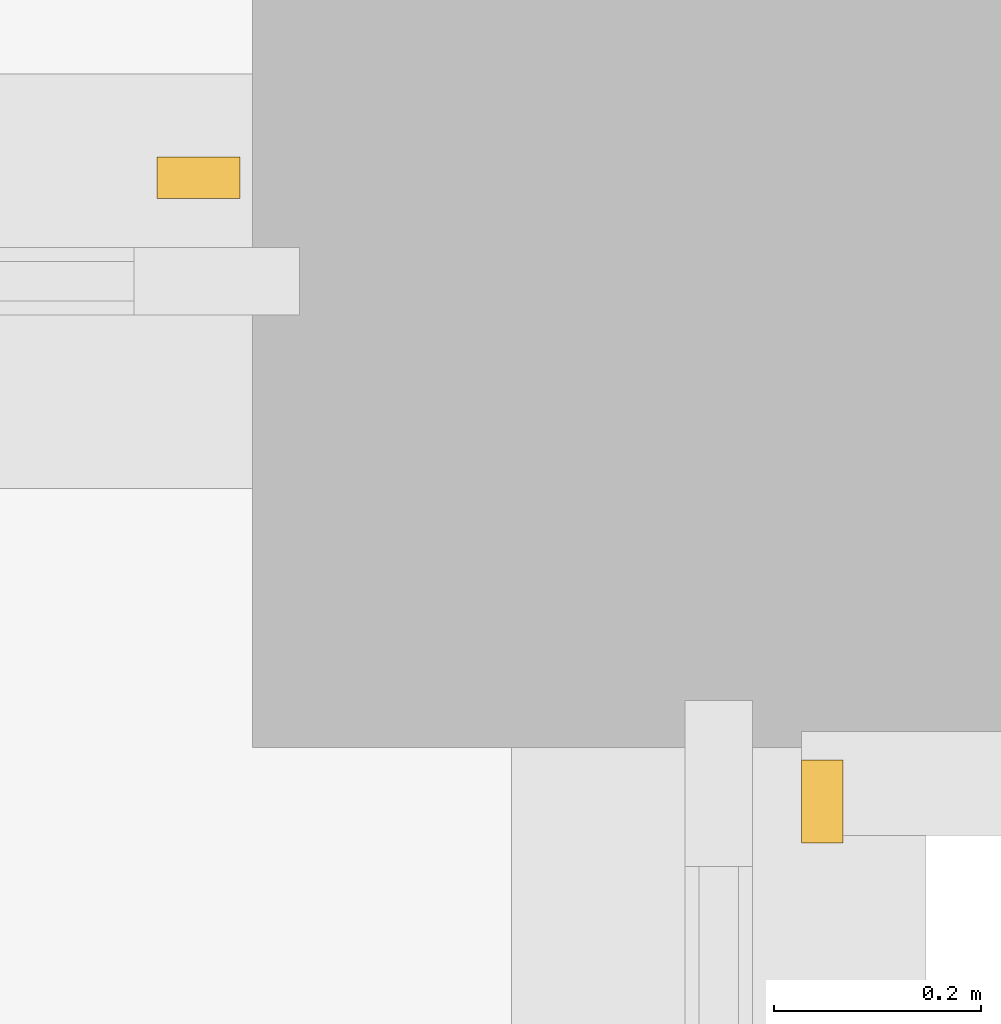
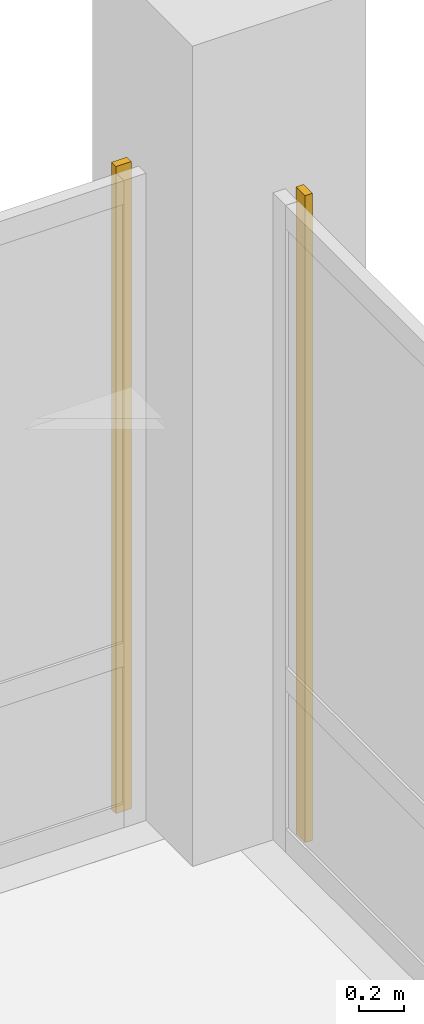
# One storey, part 59 of 59: 2 coverings.
"""IFC4 building model written with IfcOpenShell, lengths in metres."""

from ifc_helpers import new_model, si_unit, direction, frame, origin, origin_2d, place, context, subcontext, project, spatial, rectangle, extrude, material, layer, layer_set, type_object, element, save


model = new_model("IFC4")

# Units and contexts
model_context = context("Model", 3, precision=1e-05, world=origin(), true_north=direction((0.0, 1.0)))
body_context = subcontext(model_context, "Body", "Model", "MODEL_VIEW")
ifc_project = project(units=[si_unit("LENGTHUNIT", "METRE"), si_unit("AREAUNIT", "SQUARE_METRE"), si_unit("VOLUMEUNIT", "CUBIC_METRE"), si_unit("PLANEANGLEUNIT", "RADIAN"), si_unit("MASSUNIT", "GRAM", prefix="KILO")], contexts=[model_context])

# Site, building, storey
site_placement = place(None, origin())
site = spatial("IfcSite", under=ifc_project, at=site_placement, CompositionType="ELEMENT")
building_placement = place(site_placement, origin())
building = spatial("IfcBuilding", under=site, at=building_placement, Name="Telukmera Botanical Conservatory", CompositionType="ELEMENT")
storey_placement = place(building_placement, frame((0.0, 0.0, 15.0)))
storey = spatial("IfcBuildingStorey", under=building, at=storey_placement, Name="L03", CompositionType="ELEMENT", Elevation=15.0)

# Coverings
ifc_material = material(Name="Granite-faced precast concrete C40/50", Category="masonry")
ifc_layer = layer(ifc_material, 0.0400390625)
ifc_layer_set = layer_set([ifc_layer], Name="Granite-faced precast concrete C40/50")
covering_type = type_object("IfcCoveringType", Name="Granite Precast Column Pier Reveal Casing", PredefinedType="CLADDING", material=ifc_layer_set)
for number, where, z_axis, x_axis, name in (
    (1, (108.697998046875, 42.89990234375, 0.0), (0.0, 0.0, 1.0), (1.0, 0.0, 0.0), "Granite Pier Reveal V4:L03:N7 R"),
    (2, (109.300048828125, 42.298095703125, 0.0), (0.0, 0.0, 1.0), (0.0, 1.0, 0.0), "Granite Pier Reveal V4:L03:E4 R"),
):
    element("IfcCovering", number, at=place(storey_placement, frame(where, z_axis=z_axis, x_axis=x_axis)), inside=storey, type_object=covering_type, Name=name, PredefinedType="CLADDING", context=body_context, shape_type="SweptSolid", body=[
        extrude(rectangle(XDim=0.080078125, YDim=0.0400390625, at=origin_2d()), origin(), (0.0, 0.0, 1.0), 3.550048828125),
    ])

save(model, "model.ifc")
